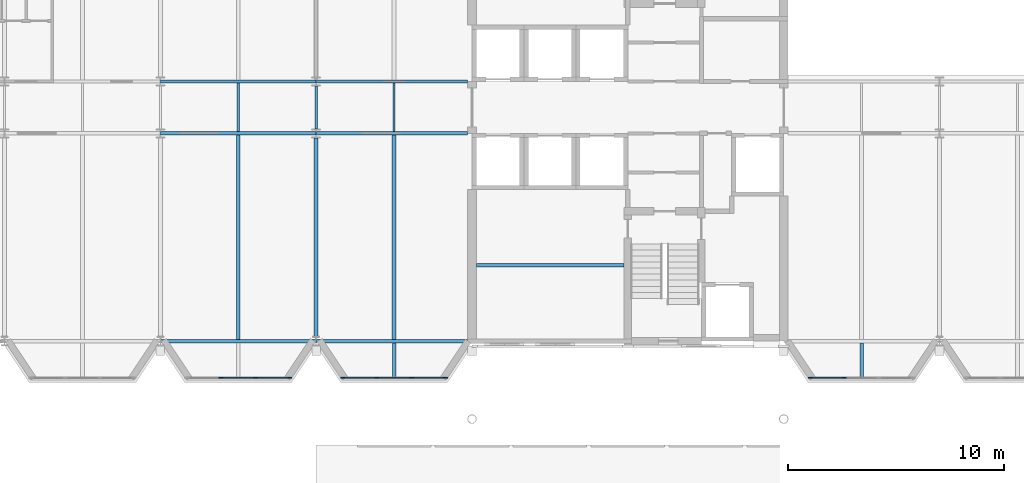
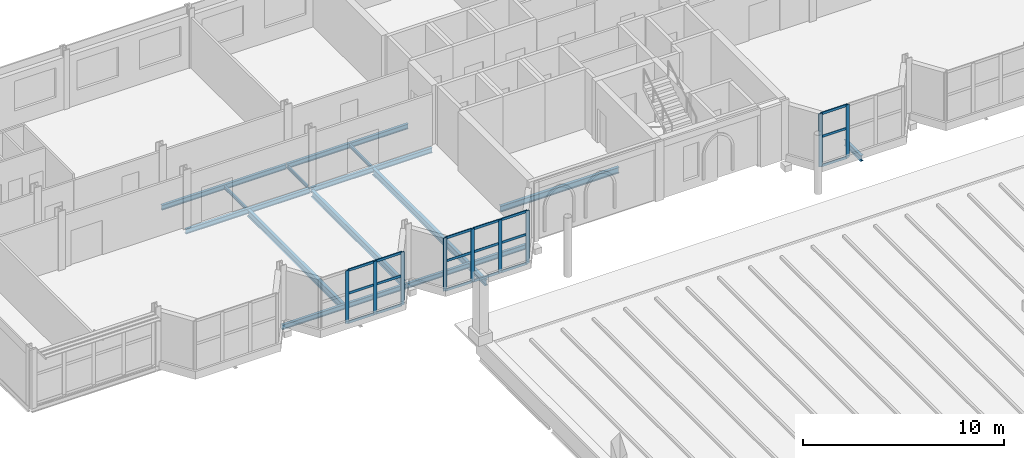
# One storey, part 35 of 120: 27 members, 15 beams, 3 elements without a shape of their own.
"""IFC4 building model written with IfcOpenShell, lengths in metres."""

from ifc_helpers import new_model, si_unit, direction, frame, origin, origin_2d, place, context, subcontext, project, spatial, rectangle, i_section, extrude, material, material_profile, profile_set, type_object, element, aggregate, save


model = new_model("IFC4")

# Units and contexts
model_context = context("Model", 3, precision=1e-05, world=origin(), true_north=direction((0.0, 1.0)))
body_context = subcontext(model_context, "Body", "Model", "MODEL_VIEW")
ifc_project = project(units=[si_unit("LENGTHUNIT", "METRE"), si_unit("AREAUNIT", "SQUARE_METRE"), si_unit("VOLUMEUNIT", "CUBIC_METRE"), si_unit("PLANEANGLEUNIT", "RADIAN"), si_unit("MASSUNIT", "GRAM", prefix="KILO")], contexts=[model_context])

# Site, building, storey
site_placement = place(None, origin())
site = spatial("IfcSite", under=ifc_project, at=site_placement, CompositionType="ELEMENT")
building_placement = place(site_placement, origin())
building = spatial("IfcBuilding", under=site, at=building_placement, Name="Kupolbacken Congress Centre", CompositionType="ELEMENT")
storey_placement = place(building_placement, frame((0.0, 0.0, 21.60009765625)))
storey = spatial("IfcBuildingStorey", under=building, at=storey_placement, Name="L06", CompositionType="ELEMENT", Elevation=21.60009765625)

# Beams
ifc_material_1 = material(Name="Steel S355", Category="steel")
ifc_material_profile_1 = material_profile(ifc_material_1, i_section(OverallWidth=0.10009765625, OverallDepth=0.199951171875, WebThickness=0.005615234375, FlangeThickness=0.008544921875, FilletRadius=0.011962890625, at=origin_2d()), Name="IPE 200")
ifc_profile_set_1 = profile_set([ifc_material_profile_1], Name="Steel S355")
beam_type_1 = type_object("IfcBeamType", Name="B01 beam IPE 200", PredefinedType="BEAM", material=ifc_profile_set_1)
beam_1_placement = place(storey_placement, frame((82.800048828125, 132.074951171875, -0.239990234375), z_axis=(0.0, 1.0, 0.0), x_axis=(-1.0, 0.0, 0.0)))
element("IfcBeam", 1, at=beam_1_placement, inside=storey, type_object=beam_type_1, Name="S/floor/T/L06/S049", PredefinedType="BEAM", context=body_context, shape_type="SweptSolid", body=[
    extrude(i_section(OverallWidth=0.10009765625, OverallDepth=0.199951171875, WebThickness=0.005615234375, FlangeThickness=0.008544921875, FilletRadius=0.011962890625, at=origin_2d()), origin(), (0.0, 0.0, 1.0), 2.25),
])
beam_2_placement = place(storey_placement, frame((86.39990234375, 132.21240234375, -0.239990234375), z_axis=(0.0, 1.0, 0.0), x_axis=(-1.0, 0.0, 0.0)))
element("IfcBeam", 2, at=beam_2_placement, inside=storey, type_object=beam_type_1, Name="S/floor/T/L06/S052", PredefinedType="BEAM", context=body_context, shape_type="SweptSolid", body=[
    extrude(i_section(OverallWidth=0.10009765625, OverallDepth=0.199951171875, WebThickness=0.005615234375, FlangeThickness=0.008544921875, FilletRadius=0.011962890625, at=origin_2d()), origin(), (0.0, 0.0, 1.0), 1.97509765625),
])
beam_3_placement = place(storey_placement, frame((90.0, 132.074951171875, -0.239990234375), z_axis=(0.0, 1.0, 0.0), x_axis=(-1.0, 0.0, 0.0)))
element("IfcBeam", 3, at=beam_3_placement, inside=storey, type_object=beam_type_1, Name="S/floor/T/L06/S055", PredefinedType="BEAM", context=body_context, shape_type="SweptSolid", body=[
    extrude(i_section(OverallWidth=0.10009765625, OverallDepth=0.199951171875, WebThickness=0.005615234375, FlangeThickness=0.008544921875, FilletRadius=0.011962890625, at=origin_2d()), origin(), (0.0, 0.0, 1.0), 2.25),
])
ifc_material_2 = material(Name="Steel S355", Category="steel")
ifc_material_profile_2 = material_profile(ifc_material_2, i_section(OverallWidth=0.14990234375, OverallDepth=0.300048828125, WebThickness=0.007080078125, FlangeThickness=0.0107421875, FilletRadius=0.014892578125, at=origin_2d()), Name="IPE 300")
ifc_profile_set_2 = profile_set([ifc_material_profile_2], Name="Steel S355")
beam_type_2 = type_object("IfcBeamType", Name="B04 beam IPE 300", PredefinedType="BEAM", material=ifc_profile_set_2)
beam_4_placement = place(storey_placement, frame((79.21044921875, 122.39990234375, -0.2900390625), z_axis=(1.0, 0.0, 0.0), x_axis=(0.0, 1.0, 0.0)))
element("IfcBeam", 4, at=beam_4_placement, inside=storey, type_object=beam_type_2, Name="S/floor/T/L06/R003", PredefinedType="BEAM", context=body_context, shape_type="SweptSolid", body=[
    extrude(i_section(OverallWidth=0.14990234375, OverallDepth=0.300048828125, WebThickness=0.007080078125, FlangeThickness=0.0107421875, FilletRadius=0.014892578125, at=origin_2d()), origin(), (0.0, 0.0, 1.0), 7.178955078125),
])
beam_5_placement = place(storey_placement, frame((86.410400390625, 122.39990234375, -0.2900390625), z_axis=(1.0, 0.0, 0.0), x_axis=(0.0, 1.0, 0.0)))
element("IfcBeam", 5, at=beam_5_placement, inside=storey, type_object=beam_type_2, Name="S/floor/T/L06/R004", PredefinedType="BEAM", context=body_context, shape_type="SweptSolid", body=[
    extrude(i_section(OverallWidth=0.14990234375, OverallDepth=0.300048828125, WebThickness=0.007080078125, FlangeThickness=0.0107421875, FilletRadius=0.014892578125, at=origin_2d()), origin(), (0.0, 0.0, 1.0), 6.989501953125),
])
beam_6_placement = place(storey_placement, frame((79.21630859375, 132.0, -0.2900390625), z_axis=(1.0, 0.0, 0.0), x_axis=(0.0, 1.0, 0.0)))
element("IfcBeam", 6, at=beam_6_placement, inside=storey, type_object=beam_type_2, Name="S/floor/T/L06/R011", PredefinedType="BEAM", context=body_context, shape_type="SweptSolid", body=[
    extrude(i_section(OverallWidth=0.14990234375, OverallDepth=0.300048828125, WebThickness=0.007080078125, FlangeThickness=0.0107421875, FilletRadius=0.014892578125, at=origin_2d()), origin(), (0.0, 0.0, 1.0), 7.167236328125),
])
beam_7_placement = place(storey_placement, frame((86.41650390625, 132.0, -0.2900390625), z_axis=(1.0, 0.0, 0.0), x_axis=(0.0, 1.0, 0.0)))
element("IfcBeam", 7, at=beam_7_placement, inside=storey, type_object=beam_type_2, Name="S/floor/T/L06/R012", PredefinedType="BEAM", context=body_context, shape_type="SweptSolid", body=[
    extrude(i_section(OverallWidth=0.14990234375, OverallDepth=0.300048828125, WebThickness=0.007080078125, FlangeThickness=0.0107421875, FilletRadius=0.014892578125, at=origin_2d()), origin(), (0.0, 0.0, 1.0), 6.9833984375),
])
beam_8_placement = place(storey_placement, frame((79.21630859375, 134.39990234375, -0.2900390625), z_axis=(1.0, 0.0, 0.0), x_axis=(0.0, 1.0, 0.0)))
element("IfcBeam", 8, at=beam_8_placement, inside=storey, type_object=beam_type_2, Name="S/floor/T/L06/R019", PredefinedType="BEAM", context=body_context, shape_type="SweptSolid", body=[
    extrude(i_section(OverallWidth=0.14990234375, OverallDepth=0.300048828125, WebThickness=0.007080078125, FlangeThickness=0.0107421875, FilletRadius=0.014892578125, at=origin_2d()), origin(), (0.0, 0.0, 1.0), 7.167236328125),
])
beam_9_placement = place(storey_placement, frame((86.41650390625, 134.39990234375, -0.2900390625), z_axis=(1.0, 0.0, 0.0), x_axis=(0.0, 1.0, 0.0)))
element("IfcBeam", 9, at=beam_9_placement, inside=storey, type_object=beam_type_2, Name="S/floor/T/L06/R020", PredefinedType="BEAM", context=body_context, shape_type="SweptSolid", body=[
    extrude(i_section(OverallWidth=0.14990234375, OverallDepth=0.300048828125, WebThickness=0.007080078125, FlangeThickness=0.0107421875, FilletRadius=0.014892578125, at=origin_2d()), origin(), (0.0, 0.0, 1.0), 6.9833984375),
])
ifc_material_3 = material(Name="Steel S355", Category="steel")
ifc_material_profile_3 = material_profile(ifc_material_3, i_section(OverallWidth=0.169921875, OverallDepth=0.360107421875, WebThickness=0.008056640625, FlangeThickness=0.0126953125, FilletRadius=0.01806640625, at=origin_2d()), Name="IPE 360")
ifc_profile_set_3 = profile_set([ifc_material_profile_3], Name="Steel S355")
beam_type_3 = type_object("IfcBeamType", Name="B06 beam IPE 360", PredefinedType="BEAM", material=ifc_profile_set_3)
beam_10_placement = place(storey_placement, frame((93.800048828125, 125.89990234375, -0.320068359375), z_axis=(1.0, 0.0, 0.0), x_axis=(0.0, 1.0, 0.0)))
element("IfcBeam", 10, at=beam_10_placement, inside=storey, type_object=beam_type_3, Name="S/floor/T/L06/RB125", PredefinedType="BEAM", context=body_context, shape_type="SweptSolid", body=[
    extrude(i_section(OverallWidth=0.169921875, OverallDepth=0.360107421875, WebThickness=0.008056640625, FlangeThickness=0.0126953125, FilletRadius=0.01806640625, at=origin_2d()), origin(), (0.0, 0.0, 1.0), 6.824951171875),
])
for number, where, z_axis, x_axis, name in (
    (11, (90.0, 122.324951171875, -0.320068359375), (0.0, -1.0, 0.0), (1.0, 0.0, 0.0), "S/floor/T/L06/C081"),
    (12, (111.60009765625, 122.324951171875, -0.320068359375), (0.0, -1.0, 0.0), (1.0, 0.0, 0.0), "S/floor/T/L06/C084"),
):
    element("IfcBeam", number, at=place(storey_placement, frame(where, z_axis=z_axis, x_axis=x_axis)), inside=storey, type_object=beam_type_3, Name=name, PredefinedType="BEAM", context=body_context, shape_type="SweptSolid", body=[
        extrude(i_section(OverallWidth=0.169921875, OverallDepth=0.360107421875, WebThickness=0.008056640625, FlangeThickness=0.0126953125, FilletRadius=0.01806640625, at=origin_2d()), origin(), (0.0, 0.0, 1.0), 1.6650390625),
    ])
ifc_material_4 = material(Name="Steel S355", Category="steel")
ifc_material_profile_4 = material_profile(ifc_material_4, i_section(OverallWidth=0.179931640625, OverallDepth=0.39990234375, WebThickness=0.008544921875, FlangeThickness=0.013427734375, FilletRadius=0.02099609375, at=origin_2d()), Name="IPE 400")
ifc_profile_set_4 = profile_set([ifc_material_profile_4], Name="Steel S355")
beam_type_4 = type_object("IfcBeamType", Name="B07 beam IPE 400", PredefinedType="BEAM", material=ifc_profile_set_4)
beam_11_placement = place(storey_placement, frame((82.800048828125, 122.47509765625, -0.340087890625), z_axis=(0.0, 1.0, 0.0), x_axis=(-1.0, 0.0, 0.0)))
element("IfcBeam", 13, at=beam_11_placement, inside=storey, type_object=beam_type_4, Name="S/floor/T/L06/S048", PredefinedType="BEAM", context=body_context, shape_type="SweptSolid", body=[
    extrude(i_section(OverallWidth=0.179931640625, OverallDepth=0.39990234375, WebThickness=0.008544921875, FlangeThickness=0.013427734375, FilletRadius=0.02099609375, at=origin_2d()), origin(), (0.0, 0.0, 1.0), 9.449951171875),
])
beam_12_placement = place(storey_placement, frame((86.39990234375, 122.615966796875, -0.340087890625), z_axis=(0.0, 1.0, 0.0), x_axis=(-1.0, 0.0, 0.0)))
element("IfcBeam", 14, at=beam_12_placement, inside=storey, type_object=beam_type_4, Name="S/floor/T/L06/S051", PredefinedType="BEAM", context=body_context, shape_type="SweptSolid", body=[
    extrude(i_section(OverallWidth=0.179931640625, OverallDepth=0.39990234375, WebThickness=0.008544921875, FlangeThickness=0.013427734375, FilletRadius=0.02099609375, at=origin_2d()), origin(), (0.0, 0.0, 1.0), 9.171630859375),
])
beam_13_placement = place(storey_placement, frame((90.0, 122.47509765625, -0.340087890625), z_axis=(0.0, 1.0, 0.0), x_axis=(-1.0, 0.0, 0.0)))
element("IfcBeam", 15, at=beam_13_placement, inside=storey, type_object=beam_type_4, Name="S/floor/T/L06/S054", PredefinedType="BEAM", context=body_context, shape_type="SweptSolid", body=[
    extrude(i_section(OverallWidth=0.179931640625, OverallDepth=0.39990234375, WebThickness=0.008544921875, FlangeThickness=0.013427734375, FilletRadius=0.02099609375, at=origin_2d()), origin(), (0.0, 0.0, 1.0), 9.449951171875),
])

# Curtain wall, members
ifc_material_5 = material(Name="Aluminium mullion-transom frame with glass", Category="aluminium")
curtain_wall_type = type_object("IfcCurtainWallType", Name="CW1 curtain wall 7200x3600", PredefinedType="NOTDEFINED", material=ifc_material_5)
curtain_wall_1_placement = place(storey_placement, origin())
curtain_wall_1 = element("IfcCurtainWall", 16, at=curtain_wall_1_placement, inside=storey, type_object=curtain_wall_type, Name="E/T/cumba/L06/S/006/cw", PredefinedType="NOTDEFINED")
ifc_material_6 = material(Name="Aluminium alloy", Category="aluminium")
ifc_material_profile_5 = material_profile(ifc_material_6, rectangle(XDim=0.050048828125, YDim=0.199951171875, at=origin_2d()), Name="50 x 200")
ifc_profile_set_5 = profile_set([ifc_material_profile_5], Name="Aluminium alloy")
member_type_1 = type_object("IfcMemberType", Name="MU2 mullion 50x200", PredefinedType="MULLION", material=ifc_profile_set_5)
member_1_placement = place(storey_placement, frame((82.0, 120.699951171875, 0.0), z_axis=(0.0, 0.0, 1.0), x_axis=(0.0, 1.0, 0.0)))
member_1 = element("IfcMember", 17, at=member_1_placement, type_object=member_type_1, Name="CW1 mullion 2", PredefinedType="MULLION", context=body_context, shape_type="SweptSolid", body=[
    extrude(rectangle(XDim=0.050048828125, YDim=0.199951171875, at=origin_2d()), origin(), (0.0, 0.0, 1.0), 3.219970703125),
])
member_2_placement = place(storey_placement, frame((83.60009765625, 120.699951171875, 0.0), z_axis=(0.0, 0.0, 1.0), x_axis=(0.0, 1.0, 0.0)))
member_2 = element("IfcMember", 18, at=member_2_placement, type_object=member_type_1, Name="CW1 mullion 3", PredefinedType="MULLION", context=body_context, shape_type="SweptSolid", body=[
    extrude(rectangle(XDim=0.050048828125, YDim=0.199951171875, at=origin_2d()), origin(), (0.0, 0.0, 1.0), 3.219970703125),
])
member_3_placement = place(storey_placement, frame((85.175048828125, 120.699951171875, 0.0), z_axis=(0.0, 0.0, 1.0), x_axis=(0.0, 1.0, 0.0)))
member_3 = element("IfcMember", 19, at=member_3_placement, type_object=member_type_1, Name="CW1 mullion 4", PredefinedType="MULLION", context=body_context, shape_type="SweptSolid", body=[
    extrude(rectangle(XDim=0.050048828125, YDim=0.199951171875, at=origin_2d()), origin(), (0.0, 0.0, 1.0), 3.219970703125),
])

curtain_wall_2_placement = place(storey_placement, origin())
curtain_wall_2 = element("IfcCurtainWall", 20, at=curtain_wall_2_placement, inside=storey, type_object=curtain_wall_type, Name="E/T/cumba/L06/S/010/cw", PredefinedType="NOTDEFINED")
member_4_placement = place(storey_placement, frame((87.625, 120.699951171875, 0.0), z_axis=(0.0, 0.0, 1.0), x_axis=(0.0, 1.0, 0.0)))
member_4 = element("IfcMember", 21, at=member_4_placement, type_object=member_type_1, Name="CW1 mullion 1", PredefinedType="MULLION", context=body_context, shape_type="SweptSolid", body=[
    extrude(rectangle(XDim=0.050048828125, YDim=0.199951171875, at=origin_2d()), origin(), (0.0, 0.0, 1.0), 3.219970703125),
])
member_5_placement = place(storey_placement, frame((89.199951171875, 120.699951171875, 0.0), z_axis=(0.0, 0.0, 1.0), x_axis=(0.0, 1.0, 0.0)))
member_5 = element("IfcMember", 22, at=member_5_placement, type_object=member_type_1, Name="CW1 mullion 2", PredefinedType="MULLION", context=body_context, shape_type="SweptSolid", body=[
    extrude(rectangle(XDim=0.050048828125, YDim=0.199951171875, at=origin_2d()), origin(), (0.0, 0.0, 1.0), 3.219970703125),
])
member_6_placement = place(storey_placement, frame((90.800048828125, 120.699951171875, 0.0), z_axis=(0.0, 0.0, 1.0), x_axis=(0.0, 1.0, 0.0)))
member_6 = element("IfcMember", 23, at=member_6_placement, type_object=member_type_1, Name="CW1 mullion 3", PredefinedType="MULLION", context=body_context, shape_type="SweptSolid", body=[
    extrude(rectangle(XDim=0.050048828125, YDim=0.199951171875, at=origin_2d()), origin(), (0.0, 0.0, 1.0), 3.219970703125),
])
member_7_placement = place(storey_placement, frame((92.375, 120.699951171875, 0.0), z_axis=(0.0, 0.0, 1.0), x_axis=(0.0, 1.0, 0.0)))
member_7 = element("IfcMember", 24, at=member_7_placement, type_object=member_type_1, Name="CW1 mullion 4", PredefinedType="MULLION", context=body_context, shape_type="SweptSolid", body=[
    extrude(rectangle(XDim=0.050048828125, YDim=0.199951171875, at=origin_2d()), origin(), (0.0, 0.0, 1.0), 3.219970703125),
])

curtain_wall_3_placement = place(storey_placement, origin())
curtain_wall_3 = element("IfcCurtainWall", 25, at=curtain_wall_3_placement, inside=storey, type_object=curtain_wall_type, Name="E/T/cumba/L06/S/014/cw", PredefinedType="NOTDEFINED")
member_8_placement = place(storey_placement, frame((109.22509765625, 120.699951171875, 0.0), z_axis=(0.0, 0.0, 1.0), x_axis=(0.0, 1.0, 0.0)))
member_8 = element("IfcMember", 26, at=member_8_placement, type_object=member_type_1, Name="CW1 mullion 1", PredefinedType="MULLION", context=body_context, shape_type="SweptSolid", body=[
    extrude(rectangle(XDim=0.050048828125, YDim=0.199951171875, at=origin_2d()), origin(), (0.0, 0.0, 1.0), 3.219970703125),
])
member_9_placement = place(storey_placement, frame((110.800048828125, 120.699951171875, 0.0), z_axis=(0.0, 0.0, 1.0), x_axis=(0.0, 1.0, 0.0)))
member_9 = element("IfcMember", 27, at=member_9_placement, type_object=member_type_1, Name="CW1 mullion 2", PredefinedType="MULLION", context=body_context, shape_type="SweptSolid", body=[
    extrude(rectangle(XDim=0.050048828125, YDim=0.199951171875, at=origin_2d()), origin(), (0.0, 0.0, 1.0), 3.219970703125),
])

# Member
ifc_material_7 = material(Name="Aluminium alloy", Category="aluminium")
ifc_material_profile_6 = material_profile(ifc_material_7, rectangle(XDim=0.050048828125, YDim=0.14990234375, at=origin_2d()), Name="50 x 150")
ifc_profile_set_6 = profile_set([ifc_material_profile_6], Name="Aluminium alloy")
member_type_2 = type_object("IfcMemberType", Name="TR2 transom 50x150", PredefinedType="MULLION", material=ifc_profile_set_6)
member_10_placement = place(storey_placement, frame((82.02490234375, 120.699951171875, 0.02490234375), z_axis=(1.0, 0.0, 0.0), x_axis=(0.0, 1.0, 0.0)))
member_10 = element("IfcMember", 28, at=member_10_placement, type_object=member_type_2, Name="CW1 transom 2.1", PredefinedType="MULLION", context=body_context, shape_type="SweptSolid", body=[
    extrude(rectangle(XDim=0.050048828125, YDim=0.14990234375, at=origin_2d()), origin(), (0.0, 0.0, 1.0), 1.550048828125),
])

member_11_placement = place(storey_placement, frame((82.02490234375, 120.699951171875, 1.7998046875), z_axis=(1.0, 0.0, 0.0), x_axis=(0.0, 1.0, 0.0)))
member_11 = element("IfcMember", 29, at=member_11_placement, type_object=member_type_2, Name="CW1 transom 2.2", PredefinedType="MULLION", context=body_context, shape_type="SweptSolid", body=[
    extrude(rectangle(XDim=0.050048828125, YDim=0.14990234375, at=origin_2d()), origin(), (0.0, 0.0, 1.0), 1.550048828125),
])

member_12_placement = place(storey_placement, frame((82.02490234375, 120.699951171875, 3.19482421875), z_axis=(1.0, 0.0, 0.0), x_axis=(0.0, 1.0, 0.0)))
member_12 = element("IfcMember", 30, at=member_12_placement, type_object=member_type_2, Name="CW1 transom 2.3", PredefinedType="MULLION", context=body_context, shape_type="SweptSolid", body=[
    extrude(rectangle(XDim=0.050048828125, YDim=0.14990234375, at=origin_2d()), origin(), (0.0, 0.0, 1.0), 1.550048828125),
])

member_13_placement = place(storey_placement, frame((83.625, 120.699951171875, 0.02490234375), z_axis=(1.0, 0.0, 0.0), x_axis=(0.0, 1.0, 0.0)))
member_13 = element("IfcMember", 31, at=member_13_placement, type_object=member_type_2, Name="CW1 transom 3.1", PredefinedType="MULLION", context=body_context, shape_type="SweptSolid", body=[
    extrude(rectangle(XDim=0.050048828125, YDim=0.14990234375, at=origin_2d()), origin(), (0.0, 0.0, 1.0), 1.52490234375),
])

member_14_placement = place(storey_placement, frame((83.625, 120.699951171875, 1.7998046875), z_axis=(1.0, 0.0, 0.0), x_axis=(0.0, 1.0, 0.0)))
member_14 = element("IfcMember", 32, at=member_14_placement, type_object=member_type_2, Name="CW1 transom 3.2", PredefinedType="MULLION", context=body_context, shape_type="SweptSolid", body=[
    extrude(rectangle(XDim=0.050048828125, YDim=0.14990234375, at=origin_2d()), origin(), (0.0, 0.0, 1.0), 1.52490234375),
])

member_15_placement = place(storey_placement, frame((83.625, 120.699951171875, 3.19482421875), z_axis=(1.0, 0.0, 0.0), x_axis=(0.0, 1.0, 0.0)))
member_15 = element("IfcMember", 33, at=member_15_placement, type_object=member_type_2, Name="CW1 transom 3.3", PredefinedType="MULLION", context=body_context, shape_type="SweptSolid", body=[
    extrude(rectangle(XDim=0.050048828125, YDim=0.14990234375, at=origin_2d()), origin(), (0.0, 0.0, 1.0), 1.52490234375),
])

aggregate(curtain_wall_1, [member_1, member_2, member_3, member_10, member_11, member_12, member_13, member_14, member_15])

member_16_placement = place(storey_placement, frame((87.64990234375, 120.699951171875, 0.02490234375), z_axis=(1.0, 0.0, 0.0), x_axis=(0.0, 1.0, 0.0)))
member_16 = element("IfcMember", 34, at=member_16_placement, type_object=member_type_2, Name="CW1 transom 1.1", PredefinedType="MULLION", context=body_context, shape_type="SweptSolid", body=[
    extrude(rectangle(XDim=0.050048828125, YDim=0.14990234375, at=origin_2d()), origin(), (0.0, 0.0, 1.0), 1.525146484375),
])

member_17_placement = place(storey_placement, frame((87.64990234375, 120.699951171875, 1.7998046875), z_axis=(1.0, 0.0, 0.0), x_axis=(0.0, 1.0, 0.0)))
member_17 = element("IfcMember", 35, at=member_17_placement, type_object=member_type_2, Name="CW1 transom 1.2", PredefinedType="MULLION", context=body_context, shape_type="SweptSolid", body=[
    extrude(rectangle(XDim=0.050048828125, YDim=0.14990234375, at=origin_2d()), origin(), (0.0, 0.0, 1.0), 1.525146484375),
])

member_18_placement = place(storey_placement, frame((87.64990234375, 120.699951171875, 3.19482421875), z_axis=(1.0, 0.0, 0.0), x_axis=(0.0, 1.0, 0.0)))
member_18 = element("IfcMember", 36, at=member_18_placement, type_object=member_type_2, Name="CW1 transom 1.3", PredefinedType="MULLION", context=body_context, shape_type="SweptSolid", body=[
    extrude(rectangle(XDim=0.050048828125, YDim=0.14990234375, at=origin_2d()), origin(), (0.0, 0.0, 1.0), 1.525146484375),
])

member_19_placement = place(storey_placement, frame((89.22509765625, 120.699951171875, 0.02490234375), z_axis=(1.0, 0.0, 0.0), x_axis=(0.0, 1.0, 0.0)))
member_19 = element("IfcMember", 37, at=member_19_placement, type_object=member_type_2, Name="CW1 transom 2.1", PredefinedType="MULLION", context=body_context, shape_type="SweptSolid", body=[
    extrude(rectangle(XDim=0.050048828125, YDim=0.14990234375, at=origin_2d()), origin(), (0.0, 0.0, 1.0), 1.5498046875),
])

member_20_placement = place(storey_placement, frame((89.22509765625, 120.699951171875, 1.7998046875), z_axis=(1.0, 0.0, 0.0), x_axis=(0.0, 1.0, 0.0)))
member_20 = element("IfcMember", 38, at=member_20_placement, type_object=member_type_2, Name="CW1 transom 2.2", PredefinedType="MULLION", context=body_context, shape_type="SweptSolid", body=[
    extrude(rectangle(XDim=0.050048828125, YDim=0.14990234375, at=origin_2d()), origin(), (0.0, 0.0, 1.0), 1.5498046875),
])

member_21_placement = place(storey_placement, frame((89.22509765625, 120.699951171875, 3.19482421875), z_axis=(1.0, 0.0, 0.0), x_axis=(0.0, 1.0, 0.0)))
member_21 = element("IfcMember", 39, at=member_21_placement, type_object=member_type_2, Name="CW1 transom 2.3", PredefinedType="MULLION", context=body_context, shape_type="SweptSolid", body=[
    extrude(rectangle(XDim=0.050048828125, YDim=0.14990234375, at=origin_2d()), origin(), (0.0, 0.0, 1.0), 1.5498046875),
])

member_22_placement = place(storey_placement, frame((90.824951171875, 120.699951171875, 0.02490234375), z_axis=(1.0, 0.0, 0.0), x_axis=(0.0, 1.0, 0.0)))
member_22 = element("IfcMember", 40, at=member_22_placement, type_object=member_type_2, Name="CW1 transom 3.1", PredefinedType="MULLION", context=body_context, shape_type="SweptSolid", body=[
    extrude(rectangle(XDim=0.050048828125, YDim=0.14990234375, at=origin_2d()), origin(), (0.0, 0.0, 1.0), 1.525146484375),
])

member_23_placement = place(storey_placement, frame((90.824951171875, 120.699951171875, 1.7998046875), z_axis=(1.0, 0.0, 0.0), x_axis=(0.0, 1.0, 0.0)))
member_23 = element("IfcMember", 41, at=member_23_placement, type_object=member_type_2, Name="CW1 transom 3.2", PredefinedType="MULLION", context=body_context, shape_type="SweptSolid", body=[
    extrude(rectangle(XDim=0.050048828125, YDim=0.14990234375, at=origin_2d()), origin(), (0.0, 0.0, 1.0), 1.525146484375),
])

member_24_placement = place(storey_placement, frame((90.824951171875, 120.699951171875, 3.19482421875), z_axis=(1.0, 0.0, 0.0), x_axis=(0.0, 1.0, 0.0)))
member_24 = element("IfcMember", 42, at=member_24_placement, type_object=member_type_2, Name="CW1 transom 3.3", PredefinedType="MULLION", context=body_context, shape_type="SweptSolid", body=[
    extrude(rectangle(XDim=0.050048828125, YDim=0.14990234375, at=origin_2d()), origin(), (0.0, 0.0, 1.0), 1.525146484375),
])

aggregate(curtain_wall_2, [member_4, member_5, member_6, member_7, member_16, member_17, member_18, member_19, member_20, member_21, member_22, member_23, member_24])

member_25_placement = place(storey_placement, frame((109.25, 120.699951171875, 0.02490234375), z_axis=(1.0, 0.0, 0.0), x_axis=(0.0, 1.0, 0.0)))
member_25 = element("IfcMember", 43, at=member_25_placement, type_object=member_type_2, Name="CW1 transom 1.1", PredefinedType="MULLION", context=body_context, shape_type="SweptSolid", body=[
    extrude(rectangle(XDim=0.050048828125, YDim=0.14990234375, at=origin_2d()), origin(), (0.0, 0.0, 1.0), 1.52490234375),
])

member_26_placement = place(storey_placement, frame((109.25, 120.699951171875, 1.7998046875), z_axis=(1.0, 0.0, 0.0), x_axis=(0.0, 1.0, 0.0)))
member_26 = element("IfcMember", 44, at=member_26_placement, type_object=member_type_2, Name="CW1 transom 1.2", PredefinedType="MULLION", context=body_context, shape_type="SweptSolid", body=[
    extrude(rectangle(XDim=0.050048828125, YDim=0.14990234375, at=origin_2d()), origin(), (0.0, 0.0, 1.0), 1.52490234375),
])

member_27_placement = place(storey_placement, frame((109.25, 120.699951171875, 3.19482421875), z_axis=(1.0, 0.0, 0.0), x_axis=(0.0, 1.0, 0.0)))
member_27 = element("IfcMember", 45, at=member_27_placement, type_object=member_type_2, Name="CW1 transom 1.3", PredefinedType="MULLION", context=body_context, shape_type="SweptSolid", body=[
    extrude(rectangle(XDim=0.050048828125, YDim=0.14990234375, at=origin_2d()), origin(), (0.0, 0.0, 1.0), 1.52490234375),
])

aggregate(curtain_wall_3, [member_8, member_9, member_25, member_26, member_27])

save(model, "model.ifc")
